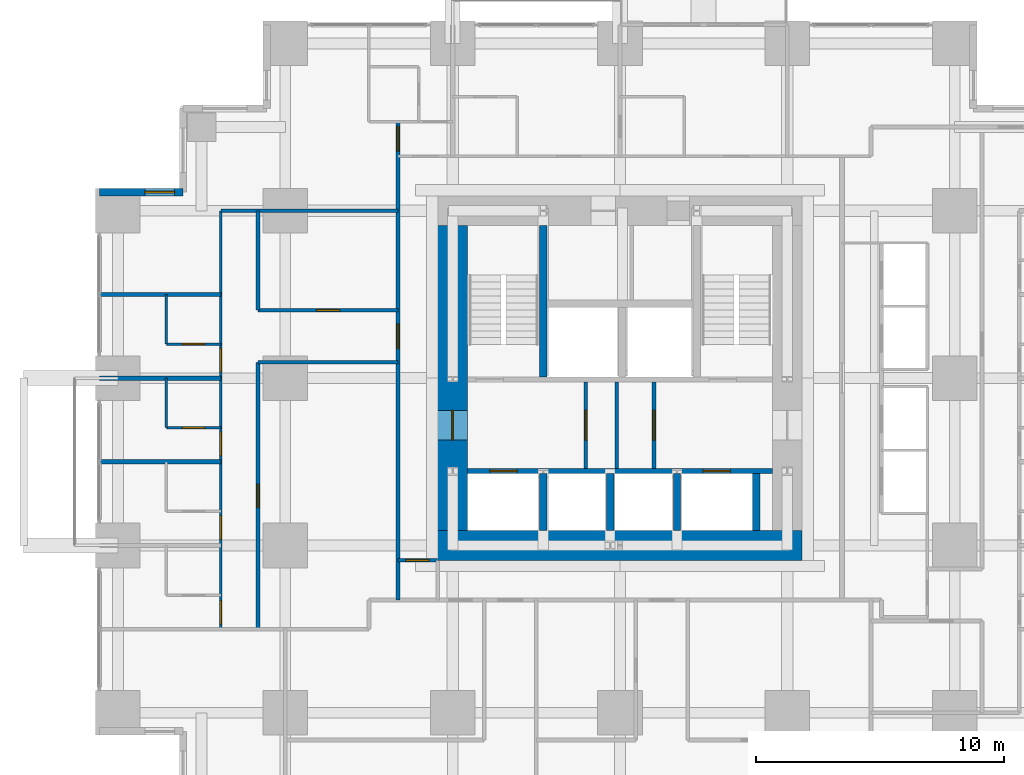
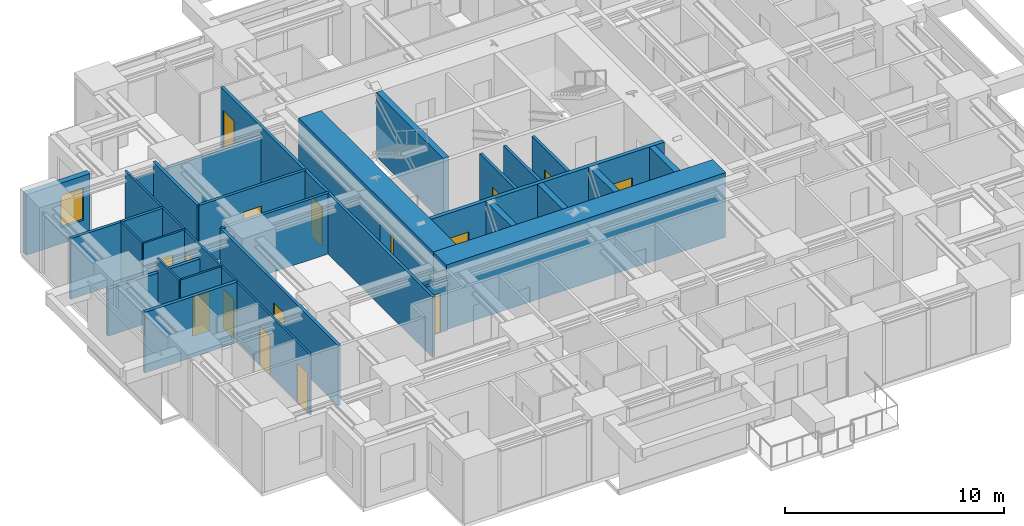
# One storey, part 8 of 12: 27 walls, 16 doors, 1 window, 17 openings.
"""IFC4 building model written with IfcOpenShell, lengths in metres."""

from ifc_helpers import new_model, si_unit, direction, frame, frame_2d, origin, place, context, subcontext, project, spatial, rectangle, extrude, material, layer, layer_set, type_object, element, fill, save


model = new_model("IFC4")

# Units and contexts
model_context = context("Model", 3, precision=1e-05, world=origin(), true_north=direction((0.0, 1.0)))
body_context = subcontext(model_context, "Body", "Model", "MODEL_VIEW")
ifc_project = project(units=[si_unit("LENGTHUNIT", "METRE"), si_unit("AREAUNIT", "SQUARE_METRE"), si_unit("VOLUMEUNIT", "CUBIC_METRE"), si_unit("PLANEANGLEUNIT", "RADIAN"), si_unit("MASSUNIT", "GRAM", prefix="KILO")], contexts=[model_context])

# Site, building, storey
site_placement = place(None, origin())
site = spatial("IfcSite", under=ifc_project, at=site_placement, CompositionType="ELEMENT")
building_placement = place(site_placement, origin())
building = spatial("IfcBuilding", under=site, at=building_placement, Name="Nyansa Garden Tower", CompositionType="ELEMENT")
storey_placement = place(building_placement, frame((0.0, 0.0, 98.10009765625)))
storey = spatial("IfcBuildingStorey", under=building, at=storey_placement, Name="L26", CompositionType="ELEMENT", Elevation=98.10009765625)

# Walls
ifc_material_1 = material(Name="Dense blockwork, plastered both sides, 55 dB", Category="masonry")
ifc_layer_1 = layer(ifc_material_1, 0.175048828125)
ifc_layer_set_1 = layer_set([ifc_layer_1], Name="Acoustic party wall PW175")
wall_type_1 = type_object("IfcWallType", Name="Acoustic party wall PW175", PredefinedType="PARTITIONING", material=ifc_layer_set_1)
wall_1_placement = place(storey_placement, frame((-0.73388671875, 16.875, 0.0), z_axis=(0.0, 0.0, 1.0), x_axis=(1.0, 0.0, 0.0)))
element("IfcWall", 1, at=wall_1_placement, inside=storey, type_object=wall_type_1, Name="Party wall", PredefinedType="PARTITIONING", context=body_context, shape_type="SweptSolid", body=[
    extrude(rectangle(XDim=4.8837890625, YDim=0.175048828125, at=frame_2d((2.44189453125, 0.0))), origin(), (0.0, 0.0, 1.0), 3.375),
])
wall_2_placement = place(storey_placement, frame((-0.73388671875, 20.25, 0.0), z_axis=(0.0, 0.0, 1.0), x_axis=(1.0, 0.0, 0.0)))
element("IfcWall", 2, at=wall_2_placement, inside=storey, type_object=wall_type_1, Name="Party wall", PredefinedType="PARTITIONING", context=body_context, shape_type="SweptSolid", body=[
    extrude(rectangle(XDim=4.8837890625, YDim=0.175048828125, at=frame_2d((2.44189453125, 0.0))), origin(), (0.0, 0.0, 1.0), 2.60986328125),
])

# Wall, openings, doors
ifc_material_2 = material(Name="Concrete C70/85", Category="concrete")
ifc_layer_2 = layer(ifc_material_2, 0.199951171875)
ifc_layer_set_2 = layer_set([ifc_layer_2], Name="Core inner wall CI200")
wall_type_2 = type_object("IfcWallType", Name="Core inner wall CI200", PredefinedType="SHEAR", material=ifc_layer_set_2)
wall_3_placement = place(storey_placement, frame((14.10009765625, 16.5, 0.0), z_axis=(0.0, 0.0, 1.0), x_axis=(1.0, 0.0, 0.0)))
wall_3 = element("IfcWall", 3, at=wall_3_placement, inside=storey, type_object=wall_type_2, Name="Core inner wall L26", PredefinedType="SHEAR", context=body_context, shape_type="SweptSolid", body=[
    extrude(rectangle(XDim=12.2998046875, YDim=0.199951171875, at=frame_2d((6.14990234375, 0.0))), origin(), (0.0, 0.0, 1.0), 3.599853515625),
])
opening_1_placement = place(wall_3_placement, frame((0.89990234375, 0.0, 0.0)))
opening_1 = element("IfcOpeningElement", 4, at=opening_1_placement, cuts=wall_3, Name="Opening LD-F", PredefinedType="OPENING", context=body_context, shape_type="SweptSolid", body=[
    extrude(rectangle(XDim=1.10009765625, YDim=2.199951171875, at=frame_2d((0.550048828125, 1.10009765625))), frame((0.0, 0.10986328125, 0.0), z_axis=(0.0, -1.0, 0.0), x_axis=(1.0, 0.0, 0.0)), (0.0, 0.0, 1.0), 0.219970703125),
])
opening_2_placement = place(wall_3_placement, frame((9.5, 0.0, 0.0)))
opening_2 = element("IfcOpeningElement", 5, at=opening_2_placement, cuts=wall_3, Name="Opening LD-F", PredefinedType="OPENING", context=body_context, shape_type="SweptSolid", body=[
    extrude(rectangle(XDim=1.10009765625, YDim=2.199951171875, at=frame_2d((0.550048828125, 1.10009765625))), frame((0.0, 0.10986328125, 0.0), z_axis=(0.0, -1.0, 0.0), x_axis=(1.0, 0.0, 0.0)), (0.0, 0.0, 1.0), 0.219970703125),
])
ifc_material_3 = material(Name="Stainless steel centre-opening landing door of the firefighting lift, EN 81-72, E 120", Category="steel")
door_type_1 = type_object("IfcDoorType", Name="Lift landing door LD-F 1100x2200", OperationType="DOUBLE_DOOR_SLIDING", PredefinedType="DOOR", material=ifc_material_3)
door_1_placement = place(opening_1_placement, origin())
door_1 = element("IfcDoor", 6, at=door_1_placement, inside=storey, type_object=door_type_1, Name="Landing door FF1", OperationType="DOUBLE_DOOR_SLIDING", OverallHeight=2.199951171875, OverallWidth=1.10009765625, PredefinedType="DOOR", context=body_context, shape_type="SweptSolid", body=[
    extrude(rectangle(XDim=1.10009765625, YDim=2.199951171875, at=frame_2d((0.550048828125, 1.10009765625))), frame((0.0, 0.02490234375, 0.0), z_axis=(0.0, -1.0, 0.0), x_axis=(1.0, 0.0, 0.0)), (0.0, 0.0, 1.0), 0.050048828125),
])
fill(opening_1, door_1)
door_2_placement = place(opening_2_placement, origin())
door_2 = element("IfcDoor", 7, at=door_2_placement, inside=storey, type_object=door_type_1, Name="Landing door FF2", OperationType="DOUBLE_DOOR_SLIDING", OverallHeight=2.199951171875, OverallWidth=1.10009765625, PredefinedType="DOOR", context=body_context, shape_type="SweptSolid", body=[
    extrude(rectangle(XDim=1.10009765625, YDim=2.199951171875, at=frame_2d((0.550048828125, 1.10009765625))), frame((0.0, 0.02490234375, 0.0), z_axis=(0.0, -1.0, 0.0), x_axis=(1.0, 0.0, 0.0)), (0.0, 0.0, 1.0), 0.050048828125),
])
fill(opening_2, door_2)

# Walls
ifc_material_4 = material(Name="Concrete C70/85", Category="concrete")
ifc_layer_3 = layer(ifc_material_4, 0.300048828125)
ifc_layer_set_3 = layer_set([ifc_layer_3], Name="Core inner wall CI300")
wall_type_3 = type_object("IfcWallType", Name="Core inner wall CI300", PredefinedType="SHEAR", material=ifc_layer_set_3)
wall_4_placement = place(storey_placement, frame((17.14990234375, 20.300048828125, 0.0), z_axis=(0.0, 0.0, 1.0), x_axis=(0.0, 1.0, 0.0)))
element("IfcWall", 8, at=wall_4_placement, inside=storey, type_object=wall_type_3, Name="Core inner wall L26", PredefinedType="SHEAR", context=body_context, shape_type="SweptSolid", body=[
    extrude(rectangle(XDim=6.099853515625, YDim=0.300048828125, at=frame_2d((3.0498046875, 0.0))), origin(), (0.0, 0.0, 1.0), 3.599853515625),
])
for number, where, z_axis, x_axis, name in (
    (9, (17.14990234375, 14.10009765625, 0.0), (0.0, 0.0, 1.0), (0.0, 1.0, 0.0), "Core inner wall L26"),
    (10, (19.85009765625, 14.10009765625, 0.0), (0.0, 0.0, 1.0), (0.0, 1.0, 0.0), "Core inner wall L26"),
    (11, (22.550048828125, 14.10009765625, 0.0), (0.0, 0.0, 1.0), (0.0, 1.0, 0.0), "Core inner wall L26"),
    (12, (25.75, 14.10009765625, 0.0), (0.0, 0.0, 1.0), (0.0, 1.0, 0.0), "Core inner wall L26"),
):
    element("IfcWall", number, at=place(storey_placement, frame(where, z_axis=z_axis, x_axis=x_axis)), inside=storey, type_object=wall_type_3, Name=name, PredefinedType="SHEAR", context=body_context, shape_type="SweptSolid", body=[
        extrude(rectangle(XDim=2.2998046875, YDim=0.300048828125, at=frame_2d((1.14990234375, 0.0))), origin(), (0.0, 0.0, 1.0), 3.599853515625),
    ])
ifc_material_5 = material(Name="Concrete C80/95", Category="concrete")
ifc_layer_4 = layer(ifc_material_5, 1.199951171875)
ifc_layer_set_4 = layer_set([ifc_layer_4], Name="Core wall CW1200")
wall_type_4 = type_object("IfcWallType", Name="Core wall CW1200", PredefinedType="SHEAR", material=ifc_layer_set_4)
wall_5_placement = place(storey_placement, frame((12.89990234375, 13.5, 0.0), z_axis=(0.0, 0.0, 1.0), x_axis=(1.0, 0.0, 0.0)))
element("IfcWall", 13, at=wall_5_placement, inside=storey, type_object=wall_type_4, Name="Core wall S L26", PredefinedType="SHEAR", context=body_context, shape_type="SweptSolid", body=[
    extrude(rectangle(XDim=14.7001953125, YDim=1.199951171875, at=frame_2d((7.35009765625, 0.0))), origin(), (0.0, 0.0, 1.0), 3.599853515625),
])

# Wall, opening, door
wall_6_placement = place(storey_placement, frame((13.5, 26.39990234375, 0.0), z_axis=(0.0, 0.0, 1.0), x_axis=(0.0, -1.0, 0.0)))
wall_6 = element("IfcWall", 14, at=wall_6_placement, inside=storey, type_object=wall_type_4, Name="Core wall W L26", PredefinedType="SHEAR", context=body_context, shape_type="SweptSolid", body=[
    extrude(rectangle(XDim=12.2998046875, YDim=1.199951171875, at=frame_2d((6.14990234375, 0.0))), origin(), (0.0, 0.0, 1.0), 3.599853515625),
])
opening_3_placement = place(wall_6_placement, frame((7.449951171875, 0.0, 0.0)))
opening_3 = element("IfcOpeningElement", 15, at=opening_3_placement, cuts=wall_6, Name="Opening D06", PredefinedType="OPENING", context=body_context, shape_type="SweptSolid", body=[
    extrude(rectangle(XDim=1.199951171875, YDim=2.199951171875, at=frame_2d((0.60009765625, 1.10009765625))), frame((0.0, 0.60986328125, 0.0), z_axis=(0.0, -1.0, 0.0), x_axis=(1.0, 0.0, 0.0)), (0.0, 0.0, 1.0), 1.219970703125),
])
ifc_material_6 = material(Name="Steel door, 120 minute fire resisting", Category="steel")
door_type_2 = type_object("IfcDoorType", Name="Lobby door D06 1200x2200", OperationType="DOUBLE_DOOR_SINGLE_SWING", PredefinedType="DOOR", material=ifc_material_6)
door_3_placement = place(opening_3_placement, origin())
door_3 = element("IfcDoor", 16, at=door_3_placement, inside=storey, type_object=door_type_2, Name="Lift lobby door west", OperationType="DOUBLE_DOOR_SINGLE_SWING", OverallHeight=2.199951171875, OverallWidth=1.199951171875, PredefinedType="DOOR", context=body_context, shape_type="SweptSolid", body=[
    extrude(rectangle(XDim=1.199951171875, YDim=2.199951171875, at=frame_2d((0.60009765625, 1.10009765625))), frame((0.0, 0.02490234375, 0.0), z_axis=(0.0, -1.0, 0.0), x_axis=(1.0, 0.0, 0.0)), (0.0, 0.0, 1.0), 0.050048828125),
])
fill(opening_3, door_3)

ifc_material_7 = material(Name="Blockwork, plastered both sides", Category="masonry")
ifc_layer_5 = layer(ifc_material_7, 0.14990234375)
ifc_layer_set_5 = layer_set([ifc_layer_5], Name="Partition PW150")
wall_type_5 = type_object("IfcWallType", Name="Partition PW150", PredefinedType="PARTITIONING", material=ifc_layer_set_5)
wall_7_placement = place(storey_placement, frame((18.875, 16.60009765625, 0.0), z_axis=(0.0, 0.0, 1.0), x_axis=(0.0, 1.0, 0.0)))
wall_7 = element("IfcWall", 17, at=wall_7_placement, inside=storey, type_object=wall_type_5, Name="Partition", PredefinedType="PARTITIONING", context=body_context, shape_type="SweptSolid", body=[
    extrude(rectangle(XDim=3.5, YDim=0.14990234375, at=frame_2d((1.75, 0.0))), origin(), (0.0, 0.0, 1.0), 3.375),
])
opening_4_placement = place(wall_7_placement, frame((1.14990234375, 0.0, 0.0)))
opening_4 = element("IfcOpeningElement", 18, at=opening_4_placement, cuts=wall_7, Name="Opening D06", PredefinedType="OPENING", context=body_context, shape_type="SweptSolid", body=[
    extrude(rectangle(XDim=1.199951171875, YDim=2.199951171875, at=frame_2d((0.60009765625, 1.10009765625))), frame((0.0, 0.0849609375, 0.0), z_axis=(0.0, -1.0, 0.0), x_axis=(1.0, 0.0, 0.0)), (0.0, 0.0, 1.0), 0.169921875),
])
door_4_placement = place(opening_4_placement, origin())
door_4 = element("IfcDoor", 19, at=door_4_placement, inside=storey, type_object=door_type_2, Name="Passenger lift lobby door", OperationType="DOUBLE_DOOR_SINGLE_SWING", OverallHeight=2.199951171875, OverallWidth=1.199951171875, PredefinedType="DOOR", context=body_context, shape_type="SweptSolid", body=[
    extrude(rectangle(XDim=1.199951171875, YDim=2.199951171875, at=frame_2d((0.60009765625, 1.10009765625))), frame((0.0, 0.02490234375, 0.0), z_axis=(0.0, -1.0, 0.0), x_axis=(1.0, 0.0, 0.0)), (0.0, 0.0, 1.0), 0.050048828125),
])
fill(opening_4, door_4)

wall_8_placement = place(storey_placement, frame((21.625, 16.60009765625, 0.0), z_axis=(0.0, 0.0, 1.0), x_axis=(0.0, 1.0, 0.0)))
wall_8 = element("IfcWall", 20, at=wall_8_placement, inside=storey, type_object=wall_type_5, Name="Partition", PredefinedType="PARTITIONING", context=body_context, shape_type="SweptSolid", body=[
    extrude(rectangle(XDim=3.5, YDim=0.14990234375, at=frame_2d((1.75, 0.0))), origin(), (0.0, 0.0, 1.0), 3.375),
])
opening_5_placement = place(wall_8_placement, frame((1.14990234375, 0.0, 0.0)))
opening_5 = element("IfcOpeningElement", 21, at=opening_5_placement, cuts=wall_8, Name="Opening D06", PredefinedType="OPENING", context=body_context, shape_type="SweptSolid", body=[
    extrude(rectangle(XDim=1.199951171875, YDim=2.199951171875, at=frame_2d((0.60009765625, 1.10009765625))), frame((0.0, 0.0849609375, 0.0), z_axis=(0.0, -1.0, 0.0), x_axis=(1.0, 0.0, 0.0)), (0.0, 0.0, 1.0), 0.169921875),
])
door_5_placement = place(opening_5_placement, origin())
door_5 = element("IfcDoor", 22, at=door_5_placement, inside=storey, type_object=door_type_2, Name="Passenger lift lobby door", OperationType="DOUBLE_DOOR_SINGLE_SWING", OverallHeight=2.199951171875, OverallWidth=1.199951171875, PredefinedType="DOOR", context=body_context, shape_type="SweptSolid", body=[
    extrude(rectangle(XDim=1.199951171875, YDim=2.199951171875, at=frame_2d((0.60009765625, 1.10009765625))), frame((0.0, 0.02490234375, 0.0), z_axis=(0.0, -1.0, 0.0), x_axis=(1.0, 0.0, 0.0)), (0.0, 0.0, 1.0), 0.050048828125),
])
fill(opening_5, door_5)

# Walls
wall_9_placement = place(storey_placement, frame((20.1201171875, 16.60009765625, 0.0), z_axis=(0.0, 0.0, 1.0), x_axis=(0.0, 1.0, 0.0)))
element("IfcWall", 23, at=wall_9_placement, inside=storey, type_object=wall_type_5, Name="Partition", PredefinedType="PARTITIONING", context=body_context, shape_type="SweptSolid", body=[
    extrude(rectangle(XDim=3.5, YDim=0.14990234375, at=frame_2d((1.75, 0.0))), origin(), (0.0, 0.0, 1.0), 3.375),
])
wall_10_placement = place(storey_placement, frame((-0.73388671875, 23.625, 0.0), z_axis=(0.0, 0.0, 1.0), x_axis=(1.0, 0.0, 0.0)))
element("IfcWall", 24, at=wall_10_placement, inside=storey, type_object=wall_type_5, Name="Partition", PredefinedType="PARTITIONING", context=body_context, shape_type="SweptSolid", body=[
    extrude(rectangle(XDim=4.8837890625, YDim=0.14990234375, at=frame_2d((2.44189453125, 0.0))), origin(), (0.0, 0.0, 1.0), 3.375),
])
wall_11_placement = place(storey_placement, frame((4.14990234375, 27.0, 0.0), z_axis=(0.0, 0.0, 1.0), x_axis=(1.0, 0.0, 0.0)))
element("IfcWall", 25, at=wall_11_placement, inside=storey, type_object=wall_type_5, Name="Partition", PredefinedType="PARTITIONING", context=body_context, shape_type="SweptSolid", body=[
    extrude(rectangle(XDim=7.150146484375, YDim=0.14990234375, at=frame_2d((3.5751953125, 0.0))), origin(), (0.0, 0.0, 1.0), 2.805908203125),
])

# Wall, opening, door
wall_12_placement = place(storey_placement, frame((5.64990234375, 10.125, 0.0), z_axis=(0.0, 0.0, 1.0), x_axis=(0.0, 1.0, 0.0)))
wall_12 = element("IfcWall", 26, at=wall_12_placement, inside=storey, type_object=wall_type_5, Name="Partition", PredefinedType="PARTITIONING", context=body_context, shape_type="SweptSolid", body=[
    extrude(rectangle(XDim=10.762451171875, YDim=0.14990234375, at=frame_2d((5.38134765625, 0.0))), origin(), (0.0, 0.0, 1.0), 3.375),
])
opening_6_placement = place(wall_12_placement, frame((4.89990234375, 0.0, 0.0)))
opening_6 = element("IfcOpeningElement", 27, at=opening_6_placement, cuts=wall_12, Name="Opening D01", PredefinedType="OPENING", context=body_context, shape_type="SweptSolid", body=[
    extrude(rectangle(XDim=0.949951171875, YDim=2.199951171875, at=frame_2d((0.47509765625, 1.10009765625))), frame((0.0, 0.0849609375, 0.0), z_axis=(0.0, -1.0, 0.0), x_axis=(1.0, 0.0, 0.0)), (0.0, 0.0, 1.0), 0.169921875),
])
ifc_material_8 = material(Name="Timber flush door, 30 minute fire resisting", Category="wood")
door_type_3 = type_object("IfcDoorType", Name="Bedroom door D01 950x2200", OperationType="SINGLE_SWING_LEFT", PredefinedType="DOOR", material=ifc_material_8)
door_6_placement = place(opening_6_placement, origin())
door_6 = element("IfcDoor", 28, at=door_6_placement, inside=storey, type_object=door_type_3, Name="Door L26-064", OperationType="SINGLE_SWING_LEFT", OverallHeight=2.199951171875, OverallWidth=0.949951171875, PredefinedType="DOOR", context=body_context, shape_type="SweptSolid", body=[
    extrude(rectangle(XDim=0.949951171875, YDim=2.199951171875, at=frame_2d((0.47509765625, 1.10009765625))), frame((0.0, 0.02490234375, 0.0), z_axis=(0.0, -1.0, 0.0), x_axis=(1.0, 0.0, 0.0)), (0.0, 0.0, 1.0), 0.050048828125),
])
fill(opening_6, door_6)

# Walls
wall_13_placement = place(storey_placement, frame((5.64990234375, 20.886962890625, 0.0), z_axis=(0.0, 0.0, 1.0), x_axis=(1.0, 0.0, 0.0)))
element("IfcWall", 29, at=wall_13_placement, inside=storey, type_object=wall_type_5, Name="Partition", PredefinedType="PARTITIONING", context=body_context, shape_type="SweptSolid", body=[
    extrude(rectangle(XDim=5.650146484375, YDim=0.14990234375, at=frame_2d((2.8251953125, 0.0))), origin(), (0.0, 0.0, 1.0), 3.375),
])
wall_14_placement = place(storey_placement, frame((5.64990234375, 22.987548828125, 0.0), z_axis=(0.0, 0.0, 1.0), x_axis=(0.0, 1.0, 0.0)))
element("IfcWall", 30, at=wall_14_placement, inside=storey, type_object=wall_type_5, Name="Partition", PredefinedType="PARTITIONING", context=body_context, shape_type="SweptSolid", body=[
    extrude(rectangle(XDim=4.012451171875, YDim=0.14990234375, at=frame_2d((2.00634765625, 0.0))), origin(), (0.0, 0.0, 1.0), 3.375),
])

# Wall, opening, door
wall_15_placement = place(storey_placement, frame((5.64990234375, 22.988037109375, 0.0), z_axis=(0.0, 0.0, 1.0), x_axis=(1.0, 0.0, 0.0)))
wall_15 = element("IfcWall", 31, at=wall_15_placement, inside=storey, type_object=wall_type_5, Name="Partition", PredefinedType="PARTITIONING", context=body_context, shape_type="SweptSolid", body=[
    extrude(rectangle(XDim=5.650146484375, YDim=0.14990234375, at=frame_2d((2.8251953125, 0.0))), origin(), (0.0, 0.0, 1.0), 3.375),
])
opening_7_placement = place(wall_15_placement, frame((2.35009765625, 0.0, 0.0)))
opening_7 = element("IfcOpeningElement", 32, at=opening_7_placement, cuts=wall_15, Name="Opening D01", PredefinedType="OPENING", context=body_context, shape_type="SweptSolid", body=[
    extrude(rectangle(XDim=0.949951171875, YDim=2.199951171875, at=frame_2d((0.47509765625, 1.10009765625))), frame((0.0, 0.0849609375, 0.0), z_axis=(0.0, -1.0, 0.0), x_axis=(1.0, 0.0, 0.0)), (0.0, 0.0, 1.0), 0.169921875),
])
door_7_placement = place(opening_7_placement, origin())
door_7 = element("IfcDoor", 33, at=door_7_placement, inside=storey, type_object=door_type_3, Name="Door L26-065", OperationType="SINGLE_SWING_LEFT", OverallHeight=2.199951171875, OverallWidth=0.949951171875, PredefinedType="DOOR", context=body_context, shape_type="SweptSolid", body=[
    extrude(rectangle(XDim=0.949951171875, YDim=2.199951171875, at=frame_2d((0.47509765625, 1.10009765625))), frame((0.0, 0.02490234375, 0.0), z_axis=(0.0, -1.0, 0.0), x_axis=(1.0, 0.0, 0.0)), (0.0, 0.0, 1.0), 0.050048828125),
])
fill(opening_7, door_7)

# Wall, openings, doors
wall_16_placement = place(storey_placement, frame((11.300048828125, 11.300048828125, 0.0), z_axis=(0.0, 0.0, 1.0), x_axis=(0.0, 1.0, 0.0)))
wall_16 = element("IfcWall", 34, at=wall_16_placement, inside=storey, type_object=wall_type_5, Name="Partition", PredefinedType="PARTITIONING", context=body_context, shape_type="SweptSolid", body=[
    extrude(rectangle(XDim=19.300048828125, YDim=0.14990234375, at=frame_2d((9.64990234375, 0.0))), origin(), (0.0, 0.0, 1.0), 3.375),
])
opening_8_placement = place(wall_16_placement, frame((18.10009765625, 0.0, 0.0)))
opening_8 = element("IfcOpeningElement", 35, at=opening_8_placement, cuts=wall_16, Name="Opening D03", PredefinedType="OPENING", context=body_context, shape_type="SweptSolid", body=[
    extrude(rectangle(XDim=1.0, YDim=2.199951171875, at=frame_2d((0.5, 1.10009765625))), frame((0.0, 0.0849609375, 0.0), z_axis=(0.0, -1.0, 0.0), x_axis=(1.0, 0.0, 0.0)), (0.0, 0.0, 1.0), 0.169921875),
])
opening_9_placement = place(wall_16_placement, frame((10.137451171875, 0.0, 0.0)))
opening_9 = element("IfcOpeningElement", 36, at=opening_9_placement, cuts=wall_16, Name="Opening D03", PredefinedType="OPENING", context=body_context, shape_type="SweptSolid", body=[
    extrude(rectangle(XDim=1.0, YDim=2.199951171875, at=frame_2d((0.5, 1.10009765625))), frame((0.0, 0.0849609375, 0.0), z_axis=(0.0, -1.0, 0.0), x_axis=(1.0, 0.0, 0.0)), (0.0, 0.0, 1.0), 0.169921875),
])
ifc_material_9 = material(Name="Timber flush door, 60 minute fire resisting", Category="wood")
door_type_4 = type_object("IfcDoorType", Name="Cluster entrance door D03 1000x2200", OperationType="SINGLE_SWING_LEFT", PredefinedType="DOOR", material=ifc_material_9)
door_8_placement = place(opening_8_placement, origin())
door_8 = element("IfcDoor", 37, at=door_8_placement, inside=storey, type_object=door_type_4, Name="Door L26-054", OperationType="SINGLE_SWING_LEFT", OverallHeight=2.199951171875, OverallWidth=1.0, PredefinedType="DOOR", context=body_context, shape_type="SweptSolid", body=[
    extrude(rectangle(XDim=1.0, YDim=2.199951171875, at=frame_2d((0.5, 1.10009765625))), frame((0.0, 0.02490234375, 0.0), z_axis=(0.0, -1.0, 0.0), x_axis=(1.0, 0.0, 0.0)), (0.0, 0.0, 1.0), 0.050048828125),
])
fill(opening_8, door_8)
door_9_placement = place(opening_9_placement, origin())
door_9 = element("IfcDoor", 38, at=door_9_placement, inside=storey, type_object=door_type_4, Name="Door L26-063", OperationType="SINGLE_SWING_LEFT", OverallHeight=2.199951171875, OverallWidth=1.0, PredefinedType="DOOR", context=body_context, shape_type="SweptSolid", body=[
    extrude(rectangle(XDim=1.0, YDim=2.199951171875, at=frame_2d((0.5, 1.10009765625))), frame((0.0, 0.02490234375, 0.0), z_axis=(0.0, -1.0, 0.0), x_axis=(1.0, 0.0, 0.0)), (0.0, 0.0, 1.0), 0.050048828125),
])
fill(opening_9, door_9)

# Wall, opening, door
wall_17_placement = place(storey_placement, frame((11.300048828125, 12.89990234375, 0.0), z_axis=(0.0, 0.0, 1.0), x_axis=(1.0, 0.0, 0.0)))
wall_17 = element("IfcWall", 39, at=wall_17_placement, inside=storey, type_object=wall_type_5, Name="Partition", PredefinedType="PARTITIONING", context=body_context, shape_type="SweptSolid", body=[
    extrude(rectangle(XDim=1.599853515625, YDim=0.14990234375, at=frame_2d((0.7998046875, 0.0))), origin(), (0.0, 0.0, 1.0), 2.805908203125),
])
opening_10_placement = place(wall_17_placement, frame((0.300048828125, 0.0, 0.0)))
opening_10 = element("IfcOpeningElement", 40, at=opening_10_placement, cuts=wall_17, Name="Opening D01", PredefinedType="OPENING", context=body_context, shape_type="SweptSolid", body=[
    extrude(rectangle(XDim=0.949951171875, YDim=2.199951171875, at=frame_2d((0.47509765625, 1.10009765625))), frame((0.0, 0.0849609375, 0.0), z_axis=(0.0, -1.0, 0.0), x_axis=(1.0, 0.0, 0.0)), (0.0, 0.0, 1.0), 0.169921875),
])
door_10_placement = place(opening_10_placement, origin())
door_10 = element("IfcDoor", 41, at=door_10_placement, inside=storey, type_object=door_type_3, Name="Door L26-017", OperationType="SINGLE_SWING_LEFT", OverallHeight=2.199951171875, OverallWidth=0.949951171875, PredefinedType="DOOR", context=body_context, shape_type="SweptSolid", body=[
    extrude(rectangle(XDim=0.949951171875, YDim=2.199951171875, at=frame_2d((0.47509765625, 1.10009765625))), frame((0.0, 0.02490234375, 0.0), z_axis=(0.0, -1.0, 0.0), x_axis=(1.0, 0.0, 0.0)), (0.0, 0.0, 1.0), 0.050048828125),
])
fill(opening_10, door_10)

# Wall, opening, window
ifc_material_10 = material(Name="Turquoise glazed tile on concrete blockwork", Category="masonry")
ifc_layer_6 = layer(ifc_material_10, 0.300048828125)
ifc_layer_set_6 = layer_set([ifc_layer_6], Name="Tiled corner wall TW300")
wall_type_6 = type_object("IfcWallType", Name="Tiled corner wall TW300", PredefinedType="SOLIDWALL", material=ifc_layer_set_6)
wall_18_placement = place(storey_placement, frame((2.625, 27.75, 0.0), z_axis=(0.0, 0.0, 1.0), x_axis=(-1.0, 0.0, 0.0)))
wall_18 = element("IfcWall", 42, at=wall_18_placement, inside=storey, type_object=wall_type_6, Name="Tiled corner wall L26", PredefinedType="SOLIDWALL", context=body_context, shape_type="SweptSolid", body=[
    extrude(rectangle(XDim=3.375, YDim=0.300048828125, at=frame_2d((1.6875, 0.0))), origin(), (0.0, 0.0, 1.0), 3.375),
])
opening_11_placement = place(wall_18_placement, frame((0.342529296875, 0.0, 0.89990234375)))
opening_11 = element("IfcOpeningElement", 43, at=opening_11_placement, cuts=wall_18, Name="Opening W4", PredefinedType="OPENING", context=body_context, shape_type="SweptSolid", body=[
    extrude(rectangle(XDim=1.199951171875, YDim=1.800048828125, at=frame_2d((0.60009765625, 0.89990234375))), frame((0.0, 0.159912109375, 0.0), z_axis=(0.0, -1.0, 0.0), x_axis=(1.0, 0.0, 0.0)), (0.0, 0.0, 1.0), 0.320068359375),
])
ifc_material_11 = material(Name="Black aluminium frame, dark tinted double glazing", Category="aluminium")
window_type = type_object("IfcWindowType", Name="Window W4 1200x1800", PartitioningType="SINGLE_PANEL", PredefinedType="WINDOW", material=ifc_material_11)
window_placement = place(opening_11_placement, origin())
window = element("IfcWindow", 44, at=window_placement, inside=storey, type_object=window_type, Name="Corner window L26", OverallHeight=1.800048828125, OverallWidth=1.199951171875, PartitioningType="SINGLE_PANEL", PredefinedType="WINDOW", context=body_context, shape_type="SweptSolid", body=[
    extrude(rectangle(XDim=1.199951171875, YDim=1.800048828125, at=frame_2d((0.60009765625, 0.89990234375))), frame((0.0, 0.030029296875, 0.0), z_axis=(0.0, -1.0, 0.0), x_axis=(1.0, 0.0, 0.0)), (0.0, 0.0, 1.0), 0.06005859375),
])
fill(opening_11, window)

# Wall
ifc_material_12 = material(Name="Moisture resistant board on steel studs, tiled", Category="steel")
ifc_layer_7 = layer(ifc_material_12, 0.10009765625)
ifc_layer_set_7 = layer_set([ifc_layer_7], Name="Wet wall PW100")
wall_type_7 = type_object("IfcWallType", Name="Wet wall PW100", PredefinedType="PARTITIONING", material=ifc_layer_set_7)
wall_19_placement = place(storey_placement, frame((1.949951171875, 18.25, 0.0), z_axis=(0.0, 0.0, 1.0), x_axis=(0.0, 1.0, 0.0)))
element("IfcWall", 45, at=wall_19_placement, inside=storey, type_object=wall_type_7, Name="Wet wall", PredefinedType="PARTITIONING", context=body_context, shape_type="SweptSolid", body=[
    extrude(rectangle(XDim=2.0, YDim=0.10009765625, at=frame_2d((1.0, 0.0))), origin(), (0.0, 0.0, 1.0), 3.375),
])

# Wall, opening, door
wall_20_placement = place(storey_placement, frame((1.949951171875, 18.25, 0.0), z_axis=(0.0, 0.0, 1.0), x_axis=(1.0, 0.0, 0.0)))
wall_20 = element("IfcWall", 46, at=wall_20_placement, inside=storey, type_object=wall_type_7, Name="Wet wall", PredefinedType="PARTITIONING", context=body_context, shape_type="SweptSolid", body=[
    extrude(rectangle(XDim=2.199951171875, YDim=0.10009765625, at=frame_2d((1.10009765625, 0.0))), origin(), (0.0, 0.0, 1.0), 3.375),
])
opening_12_placement = place(wall_20_placement, frame((0.64990234375, 0.0, 0.0)))
opening_12 = element("IfcOpeningElement", 47, at=opening_12_placement, cuts=wall_20, Name="Opening D02", PredefinedType="OPENING", context=body_context, shape_type="SweptSolid", body=[
    extrude(rectangle(XDim=0.89990234375, YDim=2.199951171875, at=frame_2d((0.449951171875, 1.10009765625))), frame((0.0, 0.06005859375, 0.0), z_axis=(0.0, -1.0, 0.0), x_axis=(1.0, 0.0, 0.0)), (0.0, 0.0, 1.0), 0.1201171875),
])
ifc_material_13 = material(Name="Timber flush door", Category="wood")
door_type_5 = type_object("IfcDoorType", Name="En-suite door D02 900x2200", OperationType="SINGLE_SWING_RIGHT", PredefinedType="DOOR", material=ifc_material_13)
door_11_placement = place(opening_12_placement, origin())
door_11 = element("IfcDoor", 48, at=door_11_placement, inside=storey, type_object=door_type_5, Name="Door L26-060", OperationType="SINGLE_SWING_RIGHT", OverallHeight=2.199951171875, OverallWidth=0.89990234375, PredefinedType="DOOR", context=body_context, shape_type="SweptSolid", body=[
    extrude(rectangle(XDim=0.89990234375, YDim=2.199951171875, at=frame_2d((0.449951171875, 1.10009765625))), frame((0.0, 0.02490234375, 0.0), z_axis=(0.0, -1.0, 0.0), x_axis=(1.0, 0.0, 0.0)), (0.0, 0.0, 1.0), 0.050048828125),
])
fill(opening_12, door_11)

# Wall
wall_21_placement = place(storey_placement, frame((1.949951171875, 21.625, 0.0), z_axis=(0.0, 0.0, 1.0), x_axis=(0.0, 1.0, 0.0)))
element("IfcWall", 49, at=wall_21_placement, inside=storey, type_object=wall_type_7, Name="Wet wall", PredefinedType="PARTITIONING", context=body_context, shape_type="SweptSolid", body=[
    extrude(rectangle(XDim=2.0, YDim=0.10009765625, at=frame_2d((1.0, 0.0))), origin(), (0.0, 0.0, 1.0), 3.375),
])

# Wall, opening, door
wall_22_placement = place(storey_placement, frame((1.949951171875, 21.625, 0.0), z_axis=(0.0, 0.0, 1.0), x_axis=(1.0, 0.0, 0.0)))
wall_22 = element("IfcWall", 50, at=wall_22_placement, inside=storey, type_object=wall_type_7, Name="Wet wall", PredefinedType="PARTITIONING", context=body_context, shape_type="SweptSolid", body=[
    extrude(rectangle(XDim=2.199951171875, YDim=0.10009765625, at=frame_2d((1.10009765625, 0.0))), origin(), (0.0, 0.0, 1.0), 3.375),
])
opening_13_placement = place(wall_22_placement, frame((0.64990234375, 0.0, 0.0)))
opening_13 = element("IfcOpeningElement", 51, at=opening_13_placement, cuts=wall_22, Name="Opening D02", PredefinedType="OPENING", context=body_context, shape_type="SweptSolid", body=[
    extrude(rectangle(XDim=0.89990234375, YDim=2.199951171875, at=frame_2d((0.449951171875, 1.10009765625))), frame((0.0, 0.06005859375, 0.0), z_axis=(0.0, -1.0, 0.0), x_axis=(1.0, 0.0, 0.0)), (0.0, 0.0, 1.0), 0.1201171875),
])
door_12_placement = place(opening_13_placement, origin())
door_12 = element("IfcDoor", 52, at=door_12_placement, inside=storey, type_object=door_type_5, Name="Door L26-062", OperationType="SINGLE_SWING_RIGHT", OverallHeight=2.199951171875, OverallWidth=0.89990234375, PredefinedType="DOOR", context=body_context, shape_type="SweptSolid", body=[
    extrude(rectangle(XDim=0.89990234375, YDim=2.199951171875, at=frame_2d((0.449951171875, 1.10009765625))), frame((0.0, 0.02490234375, 0.0), z_axis=(0.0, -1.0, 0.0), x_axis=(1.0, 0.0, 0.0)), (0.0, 0.0, 1.0), 0.050048828125),
])
fill(opening_13, door_12)

# Wall, openings, doors
wall_23_placement = place(storey_placement, frame((4.14990234375, 10.125, 0.0), z_axis=(0.0, 0.0, 1.0), x_axis=(0.0, 1.0, 0.0)))
wall_23 = element("IfcWall", 53, at=wall_23_placement, inside=storey, type_object=wall_type_7, Name="Wet wall", PredefinedType="PARTITIONING", context=body_context, shape_type="SweptSolid", body=[
    extrude(rectangle(XDim=16.875, YDim=0.10009765625, at=frame_2d((8.4375, 0.0))), origin(), (0.0, 0.0, 1.0), 3.375),
])
opening_14_placement = place(wall_23_placement, frame((0.199951171875, 0.0, 0.0)))
opening_14 = element("IfcOpeningElement", 54, at=opening_14_placement, cuts=wall_23, Name="Opening D14", PredefinedType="OPENING", context=body_context, shape_type="SweptSolid", body=[
    extrude(rectangle(XDim=0.949951171875, YDim=2.199951171875, at=frame_2d((0.47509765625, 1.10009765625))), frame((0.0, 0.06005859375, 0.0), z_axis=(0.0, -1.0, 0.0), x_axis=(1.0, 0.0, 0.0)), (0.0, 0.0, 1.0), 0.1201171875),
])
opening_15_placement = place(wall_23_placement, frame((3.625, 0.0, 0.0)))
opening_15 = element("IfcOpeningElement", 55, at=opening_15_placement, cuts=wall_23, Name="Opening D14", PredefinedType="OPENING", context=body_context, shape_type="SweptSolid", body=[
    extrude(rectangle(XDim=0.949951171875, YDim=2.199951171875, at=frame_2d((0.47509765625, 1.10009765625))), frame((0.0, 0.06005859375, 0.0), z_axis=(0.0, -1.0, 0.0), x_axis=(1.0, 0.0, 0.0)), (0.0, 0.0, 1.0), 0.1201171875),
])
opening_16_placement = place(wall_23_placement, frame((7.0, 0.0, 0.0)))
opening_16 = element("IfcOpeningElement", 56, at=opening_16_placement, cuts=wall_23, Name="Opening D14", PredefinedType="OPENING", context=body_context, shape_type="SweptSolid", body=[
    extrude(rectangle(XDim=0.949951171875, YDim=2.199951171875, at=frame_2d((0.47509765625, 1.10009765625))), frame((0.0, 0.06005859375, 0.0), z_axis=(0.0, -1.0, 0.0), x_axis=(1.0, 0.0, 0.0)), (0.0, 0.0, 1.0), 0.1201171875),
])
opening_17_placement = place(wall_23_placement, frame((10.375, 0.0, 0.0)))
opening_17 = element("IfcOpeningElement", 57, at=opening_17_placement, cuts=wall_23, Name="Opening D14", PredefinedType="OPENING", context=body_context, shape_type="SweptSolid", body=[
    extrude(rectangle(XDim=0.949951171875, YDim=2.199951171875, at=frame_2d((0.47509765625, 1.10009765625))), frame((0.0, 0.06005859375, 0.0), z_axis=(0.0, -1.0, 0.0), x_axis=(1.0, 0.0, 0.0)), (0.0, 0.0, 1.0), 0.1201171875),
])
ifc_material_14 = material(Name="Timber flush door, 60 minute fire resisting, self-closing", Category="wood")
door_type_6 = type_object("IfcDoorType", Name="Studio entrance door D14 950x2200", OperationType="SINGLE_SWING_LEFT", PredefinedType="DOOR", material=ifc_material_14)
door_13_placement = place(opening_14_placement, origin())
door_13 = element("IfcDoor", 58, at=door_13_placement, inside=storey, type_object=door_type_6, Name="Door L26-055", OperationType="SINGLE_SWING_LEFT", OverallHeight=2.199951171875, OverallWidth=0.949951171875, PredefinedType="DOOR", context=body_context, shape_type="SweptSolid", body=[
    extrude(rectangle(XDim=0.949951171875, YDim=2.199951171875, at=frame_2d((0.47509765625, 1.10009765625))), frame((0.0, 0.02490234375, 0.0), z_axis=(0.0, -1.0, 0.0), x_axis=(1.0, 0.0, 0.0)), (0.0, 0.0, 1.0), 0.050048828125),
])
fill(opening_14, door_13)
door_14_placement = place(opening_15_placement, origin())
door_14 = element("IfcDoor", 59, at=door_14_placement, inside=storey, type_object=door_type_6, Name="Door L26-057", OperationType="SINGLE_SWING_LEFT", OverallHeight=2.199951171875, OverallWidth=0.949951171875, PredefinedType="DOOR", context=body_context, shape_type="SweptSolid", body=[
    extrude(rectangle(XDim=0.949951171875, YDim=2.199951171875, at=frame_2d((0.47509765625, 1.10009765625))), frame((0.0, 0.02490234375, 0.0), z_axis=(0.0, -1.0, 0.0), x_axis=(1.0, 0.0, 0.0)), (0.0, 0.0, 1.0), 0.050048828125),
])
fill(opening_15, door_14)
door_15_placement = place(opening_16_placement, origin())
door_15 = element("IfcDoor", 60, at=door_15_placement, inside=storey, type_object=door_type_6, Name="Door L26-059", OperationType="SINGLE_SWING_LEFT", OverallHeight=2.199951171875, OverallWidth=0.949951171875, PredefinedType="DOOR", context=body_context, shape_type="SweptSolid", body=[
    extrude(rectangle(XDim=0.949951171875, YDim=2.199951171875, at=frame_2d((0.47509765625, 1.10009765625))), frame((0.0, 0.02490234375, 0.0), z_axis=(0.0, -1.0, 0.0), x_axis=(1.0, 0.0, 0.0)), (0.0, 0.0, 1.0), 0.050048828125),
])
fill(opening_16, door_15)
door_16_placement = place(opening_17_placement, origin())
door_16 = element("IfcDoor", 61, at=door_16_placement, inside=storey, type_object=door_type_6, Name="Door L26-061", OperationType="SINGLE_SWING_LEFT", OverallHeight=2.199951171875, OverallWidth=0.949951171875, PredefinedType="DOOR", context=body_context, shape_type="SweptSolid", body=[
    extrude(rectangle(XDim=0.949951171875, YDim=2.199951171875, at=frame_2d((0.47509765625, 1.10009765625))), frame((0.0, 0.02490234375, 0.0), z_axis=(0.0, -1.0, 0.0), x_axis=(1.0, 0.0, 0.0)), (0.0, 0.0, 1.0), 0.050048828125),
])
fill(opening_17, door_16)

save(model, "model.ifc")
